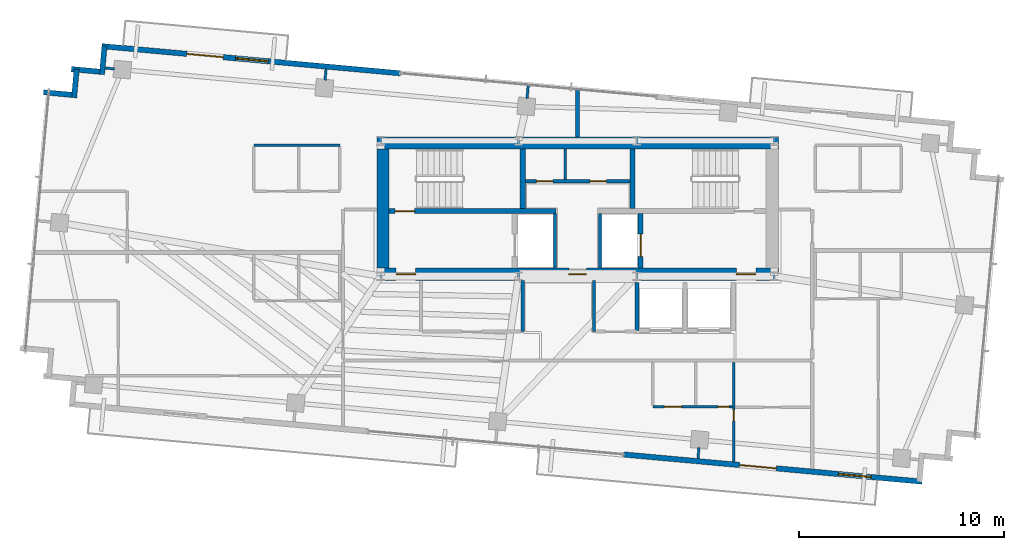
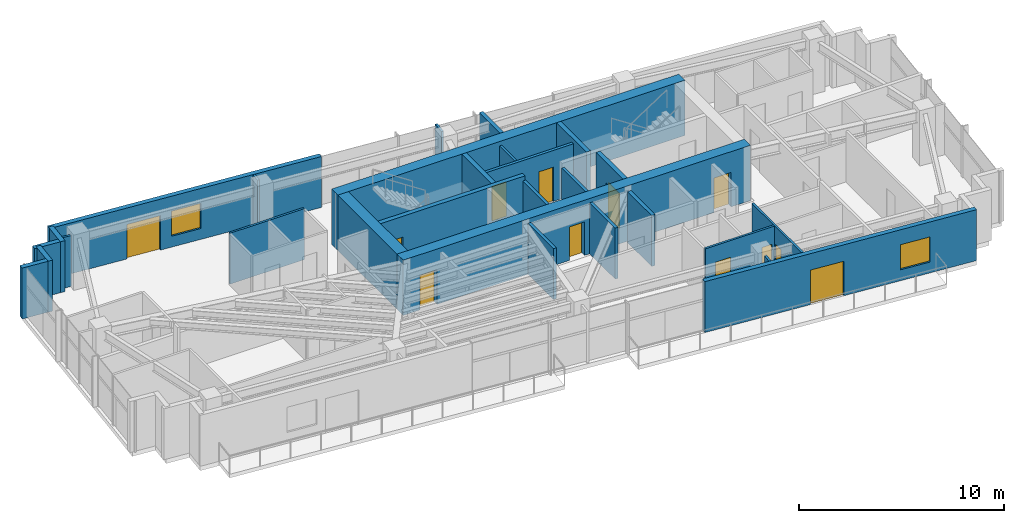
# One storey, part 17 of 22: 28 walls, 12 doors, 2 windows, 14 openings.
"""IFC4 building model written with IfcOpenShell, lengths in metres."""

from ifc_helpers import new_model, si_unit, direction, frame, frame_2d, origin, place, context, subcontext, project, spatial, rectangle, extrude, source, transform, mapped, material, layer, layer_set, type_object, type_shapes, element, fill, save


model = new_model("IFC4")

# Units and contexts
model_context = context("Model", 3, precision=1e-05, world=origin(), true_north=direction((0.0, 1.0)))
body_context = subcontext(model_context, "Body", "Model", "MODEL_VIEW")
ifc_project = project(units=[si_unit("LENGTHUNIT", "METRE"), si_unit("AREAUNIT", "SQUARE_METRE"), si_unit("VOLUMEUNIT", "CUBIC_METRE"), si_unit("PLANEANGLEUNIT", "RADIAN"), si_unit("MASSUNIT", "GRAM", prefix="KILO")], contexts=[model_context])

# Site, building, storey
site_placement = place(None, origin())
site = spatial("IfcSite", under=ifc_project, at=site_placement, CompositionType="ELEMENT")
building_placement = place(site_placement, origin())
building = spatial("IfcBuilding", under=site, at=building_placement, Name="Astriad Promenade Condominiums", CompositionType="ELEMENT")
storey_placement = place(building_placement, frame((0.0, 0.0, 249.60009765625)))
storey = spatial("IfcBuildingStorey", under=building, at=storey_placement, Name="L72", CompositionType="ELEMENT", Elevation=249.60009765625)

# Wall, openings, doors
ifc_material_1 = material(Name="Concrete C50/60", Category="concrete")
ifc_layer_1 = layer(ifc_material_1, 0.60009765625)
ifc_layer_set_1 = layer_set([ifc_layer_1], Name="Concrete C50/60")
wall_type_1 = type_object("IfcWallType", Name="CW-SHEAR-600", PredefinedType="SHEAR", material=ifc_layer_set_1)
wall_1_placement = place(storey_placement, frame((26.199951171875, 17.5, 0.0), z_axis=(0.0, 0.0, 1.0), x_axis=(1.0, 0.0, 0.0)))
wall_1 = element("IfcWall", 1, at=wall_1_placement, inside=storey, type_object=wall_type_1, Name="CW-CORE-S-L72", PredefinedType="SHEAR", context=body_context, shape_type="SweptSolid", body=[
    extrude(rectangle(XDim=19.60009765625, YDim=0.60009765625, at=frame_2d((9.800048828125, 0.0))), origin(), (0.0, 0.0, 1.0), 3.2998046875),
])
opening_1_placement = place(wall_1_placement, frame((0.949951171875, 0.0, 0.0)))
opening_1 = element("IfcOpeningElement", 2, at=opening_1_placement, cuts=wall_1, Name="Opening FD90-ST-095", PredefinedType="OPENING", context=body_context, shape_type="SweptSolid", body=[
    extrude(rectangle(XDim=0.949951171875, YDim=2.06005859375, at=frame_2d((0.47509765625, 1.030029296875))), frame((0.0, 0.31005859375, 0.0), z_axis=(0.0, -1.0, 0.0), x_axis=(1.0, 0.0, 0.0)), (0.0, 0.0, 1.0), 0.6201171875),
])
opening_2_placement = place(wall_1_placement, frame((9.3798828125, 0.0, 0.0)))
opening_2 = element("IfcOpeningElement", 3, at=opening_2_placement, cuts=wall_1, Name="Opening FD60-ULOW-085", PredefinedType="OPENING", context=body_context, shape_type="SweptSolid", body=[
    extrude(rectangle(XDim=0.85009765625, YDim=2.0, at=frame_2d((0.425048828125, 1.0))), frame((0.0, 0.31005859375, 0.0), z_axis=(0.0, -1.0, 0.0), x_axis=(1.0, 0.0, 0.0)), (0.0, 0.0, 1.0), 0.6201171875),
])
opening_3_placement = place(wall_1_placement, frame((17.550048828125, 0.0, 0.0)))
opening_3 = element("IfcOpeningElement", 4, at=opening_3_placement, cuts=wall_1, Name="Opening FD90-ST-095", PredefinedType="OPENING", context=body_context, shape_type="SweptSolid", body=[
    extrude(rectangle(XDim=0.949951171875, YDim=2.06005859375, at=frame_2d((0.47509765625, 1.030029296875))), frame((0.0, 0.31005859375, 0.0), z_axis=(0.0, -1.0, 0.0), x_axis=(1.0, 0.0, 0.0)), (0.0, 0.0, 1.0), 0.6201171875),
])
ifc_material_2 = material(Name="Fire-Rated Hollow Metal Stair Door")
door_type_1 = type_object("IfcDoorType", Name="FD90-ST-095", OperationType="NOTDEFINED", PredefinedType="DOOR", material=ifc_material_2)
shared_shape_1 = source(origin(), body_context, "Body", "SweptSolid", [
    extrude(rectangle(XDim=0.949951171875, YDim=2.06005859375, at=frame_2d((0.47509765625, 1.030029296875))), frame((0.0, 0.02490234375, 0.0), z_axis=(0.0, -1.0, 0.0), x_axis=(1.0, 0.0, 0.0)), (0.0, 0.0, 1.0), 0.050048828125),
])
type_shapes(door_type_1, [shared_shape_1])
door_1_placement = place(opening_1_placement, origin())
door_1 = element("IfcDoor", 5, at=door_1_placement, inside=storey, type_object=door_type_1, Name="D-FFW-L72", OperationType="SINGLE_SWING_LEFT", OverallHeight=2.06005859375, OverallWidth=0.949951171875, PredefinedType="DOOR", context=body_context, shape_type="MappedRepresentation", body=[
    mapped(shared_shape_1, transform((0.0, 0.0, 0.0), scale=1.0)),
])
fill(opening_1, door_1)
door_2_placement = place(opening_3_placement, origin())
door_2 = element("IfcDoor", 6, at=door_2_placement, inside=storey, type_object=door_type_1, Name="D-FFE-L72", OperationType="SINGLE_SWING_RIGHT", OverallHeight=2.06005859375, OverallWidth=0.949951171875, PredefinedType="DOOR", context=body_context, shape_type="MappedRepresentation", body=[
    mapped(shared_shape_1, transform((0.0, 0.0, 0.0), scale=1.0)),
])
fill(opening_3, door_2)
ifc_material_3 = material(Name="Solid-Core Low-Headroom Fire Door")
door_type_2 = type_object("IfcDoorType", Name="FD60-ULOW-085", OperationType="NOTDEFINED", PredefinedType="DOOR", material=ifc_material_3)
shared_shape_2 = source(origin(), body_context, "Body", "SweptSolid", [
    extrude(rectangle(XDim=0.85009765625, YDim=2.0, at=frame_2d((0.425048828125, 1.0))), frame((0.0, 0.02490234375, 0.0), z_axis=(0.0, -1.0, 0.0), x_axis=(1.0, 0.0, 0.0)), (0.0, 0.0, 1.0), 0.050048828125),
])
type_shapes(door_type_2, [shared_shape_2])
door_3_placement = place(opening_2_placement, origin())
door_3 = element("IfcDoor", 7, at=door_3_placement, inside=storey, type_object=door_type_2, Name="D-CSL-L72", OperationType="SINGLE_SWING_RIGHT", OverallHeight=2.0, OverallWidth=0.85009765625, PredefinedType="DOOR", context=body_context, shape_type="MappedRepresentation", body=[
    mapped(shared_shape_2, transform((0.0, 0.0, 0.0), scale=1.0)),
])
fill(opening_2, door_3)

# Walls
wall_2_placement = place(storey_placement, frame((26.199951171875, 23.89990234375, 0.0), z_axis=(0.0, 0.0, 1.0), x_axis=(1.0, 0.0, 0.0)))
element("IfcWall", 8, at=wall_2_placement, inside=storey, type_object=wall_type_1, Name="CW-CORE-N-L72", PredefinedType="SHEAR", context=body_context, shape_type="SweptSolid", body=[
    extrude(rectangle(XDim=19.60009765625, YDim=0.60009765625, at=frame_2d((9.800048828125, 0.0))), origin(), (0.0, 0.0, 1.0), 3.2998046875),
])
wall_3_placement = place(storey_placement, frame((26.5, 17.802001953125, 0.0), z_axis=(0.0, 0.0, 1.0), x_axis=(0.0, 1.0, 0.0)))
element("IfcWall", 9, at=wall_3_placement, inside=storey, type_object=wall_type_1, Name="CW-CORE-W-L72", PredefinedType="SHEAR", context=body_context, shape_type="SweptSolid", body=[
    extrude(rectangle(XDim=5.7958984375, YDim=0.60009765625, at=frame_2d((2.89794921875, 0.0))), origin(), (0.0, 0.0, 1.0), 3.2998046875),
])

# Wall, opening, door
ifc_layer_2 = layer(ifc_material_1, 0.25)
ifc_layer_set_2 = layer_set([ifc_layer_2], Name="Concrete C50/60")
wall_type_2 = type_object("IfcWallType", Name="WALL-CORE-INT-250", PredefinedType="SOLIDWALL", material=ifc_layer_set_2)
wall_4_placement = place(storey_placement, frame((26.802001953125, 20.574951171875, 0.0), z_axis=(0.0, 0.0, 1.0), x_axis=(1.0, 0.0, 0.0)))
wall_4 = element("IfcWall", 10, at=wall_4_placement, inside=storey, type_object=wall_type_2, Name="CW-INT-H1-L72", PredefinedType="SOLIDWALL", context=body_context, shape_type="SweptSolid", body=[
    extrude(rectangle(XDim=8.14794921875, YDim=0.25, at=frame_2d((4.073974609375, 0.0))), origin(), (0.0, 0.0, 1.0), 3.2998046875),
])
opening_4_placement = place(wall_4_placement, frame((0.298095703125, 0.0, 0.0)))
opening_4 = element("IfcOpeningElement", 11, at=opening_4_placement, cuts=wall_4, Name="Opening FD90-ST-095", PredefinedType="OPENING", context=body_context, shape_type="SweptSolid", body=[
    extrude(rectangle(XDim=0.949951171875, YDim=2.06005859375, at=frame_2d((0.47509765625, 1.030029296875))), frame((0.0, 0.135009765625, 0.0), z_axis=(0.0, -1.0, 0.0), x_axis=(1.0, 0.0, 0.0)), (0.0, 0.0, 1.0), 0.27001953125),
])
door_4_placement = place(opening_4_placement, origin())
door_4 = element("IfcDoor", 12, at=door_4_placement, inside=storey, type_object=door_type_1, Name="D-ST1-L72", OperationType="SINGLE_SWING_RIGHT", OverallHeight=2.06005859375, OverallWidth=0.949951171875, PredefinedType="DOOR", context=body_context, shape_type="MappedRepresentation", body=[
    mapped(shared_shape_1, transform((0.0, 0.0, 0.0), scale=1.0)),
])
fill(opening_4, door_4)

# Walls
for number, where, z_axis, x_axis, name in (
    (13, (33.324951171875, 20.701904296875, 0.0), (0.0, 0.0, 1.0), (0.0, 1.0, 0.0), "CW-ST1-E-L72"),
    (14, (38.675048828125, 20.701904296875, 0.0), (0.0, 0.0, 1.0), (0.0, 1.0, 0.0), "CW-ST2-W-L72"),
):
    element("IfcWall", number, at=place(storey_placement, frame(where, z_axis=z_axis, x_axis=x_axis)), inside=storey, type_object=wall_type_2, Name=name, PredefinedType="SOLIDWALL", context=body_context, shape_type="SweptSolid", body=[
        extrude(rectangle(XDim=2.89599609375, YDim=0.25, at=frame_2d((1.447998046875, 0.0))), origin(), (0.0, 0.0, 1.0), 3.2998046875),
    ])

# Wall, opening, door
wall_5_placement = place(storey_placement, frame((39.074951171875, 17.802001953125, 0.0), z_axis=(0.0, 0.0, 1.0), x_axis=(0.0, 1.0, 0.0)))
wall_5 = element("IfcWall", 15, at=wall_5_placement, inside=storey, type_object=wall_type_2, Name="CW-FFL2-E-L72", PredefinedType="SOLIDWALL", context=body_context, shape_type="SweptSolid", body=[
    extrude(rectangle(XDim=2.64599609375, YDim=0.25, at=frame_2d((1.322998046875, 0.0))), origin(), (0.0, 0.0, 1.0), 3.2998046875),
])
opening_5_placement = place(wall_5_placement, frame((0.548095703125, 0.0, 0.0)))
opening_5 = element("IfcOpeningElement", 16, at=opening_5_placement, cuts=wall_5, Name="Opening LD-FFL-1122", PredefinedType="OPENING", context=body_context, shape_type="SweptSolid", body=[
    extrude(rectangle(XDim=1.10009765625, YDim=2.080078125, at=frame_2d((0.550048828125, 1.0400390625))), frame((0.0, 0.135009765625, 0.0), z_axis=(0.0, -1.0, 0.0), x_axis=(1.0, 0.0, 0.0)), (0.0, 0.0, 1.0), 0.27001953125),
])
ifc_material_4 = material(Name="Brushed Stainless Steel Fire Elevator Landing Door", Category="steel")
door_type_3 = type_object("IfcDoorType", Name="LD-FFL-1122", OperationType="NOTDEFINED", PredefinedType="DOOR", material=ifc_material_4)
shared_shape_3 = source(origin(), body_context, "Body", "SweptSolid", [
    extrude(rectangle(XDim=1.10009765625, YDim=2.080078125, at=frame_2d((0.550048828125, 1.0400390625))), frame((0.0, 0.02490234375, 0.0), z_axis=(0.0, -1.0, 0.0), x_axis=(1.0, 0.0, 0.0)), (0.0, 0.0, 1.0), 0.050048828125),
])
type_shapes(door_type_3, [shared_shape_3])
door_5_placement = place(opening_5_placement, origin())
door_5 = element("IfcDoor", 17, at=door_5_placement, inside=storey, type_object=door_type_3, Name="Elevator Landing Door FFL-2 (L72)", OperationType="SLIDING_TO_RIGHT", OverallHeight=2.080078125, OverallWidth=1.10009765625, PredefinedType="DOOR", context=body_context, shape_type="MappedRepresentation", body=[
    mapped(shared_shape_3, transform((0.0, 0.0, 0.0), scale=1.0)),
])
fill(opening_5, door_5)

# Walls
ifc_material_5 = material(Name="Fire-Rated Gypsum Partition")
ifc_layer_3 = layer(ifc_material_5, 0.159912109375)
ifc_layer_set_3 = layer_set([ifc_layer_3], Name="Fire-Rated Gypsum Partition")
wall_type_3 = type_object("IfcWallType", Name="WALL-CORR-160", PredefinedType="PARTITIONING", material=ifc_layer_set_3)
for number, where, z_axis, x_axis, name in (
    (18, (34.89990234375, 17.802001953125, 0.0), (0.0, 0.0, 1.0), (0.0, 1.0, 0.0), "CW-FFL1-E-L72"),
    (19, (37.10009765625, 17.802001953125, 0.0), (0.0, 0.0, 1.0), (0.0, 1.0, 0.0), "CW-FFL2-W-L72"),
):
    element("IfcWall", number, at=place(storey_placement, frame(where, z_axis=z_axis, x_axis=x_axis)), inside=storey, type_object=wall_type_3, Name=name, PredefinedType="PARTITIONING", context=body_context, shape_type="SweptSolid", body=[
        extrude(rectangle(XDim=2.64599609375, YDim=0.159912109375, at=frame_2d((1.322998046875, 0.0))), origin(), (0.0, 0.0, 1.0), 3.039794921875),
    ])

# Wall, openings, doors
wall_6_placement = place(storey_placement, frame((33.451904296875, 22.030029296875, 0.0), z_axis=(0.0, 0.0, 1.0), x_axis=(1.0, 0.0, 0.0)))
wall_6 = element("IfcWall", 20, at=wall_6_placement, inside=storey, type_object=wall_type_3, Name="CW-AUX-N-L72", PredefinedType="PARTITIONING", context=body_context, shape_type="SweptSolid", body=[
    extrude(rectangle(XDim=5.09619140625, YDim=0.159912109375, at=frame_2d((2.548095703125, 0.0))), origin(), (0.0, 0.0, 1.0), 3.039794921875),
])
opening_6_placement = place(wall_6_placement, frame((0.5380859375, 0.0, 0.0)))
opening_6 = element("IfcOpeningElement", 21, at=opening_6_placement, cuts=wall_6, Name="Opening FD60-SV-080", PredefinedType="OPENING", context=body_context, shape_type="SweptSolid", body=[
    extrude(rectangle(XDim=0.800048828125, YDim=2.050048828125, at=frame_2d((0.39990234375, 1.02490234375))), frame((0.0, 0.08984375, 0.0), z_axis=(0.0, -1.0, 0.0), x_axis=(1.0, 0.0, 0.0)), (0.0, 0.0, 1.0), 0.179931640625),
])
opening_7_placement = place(wall_6_placement, frame((3.157958984375, 0.0, 0.0)))
opening_7 = element("IfcOpeningElement", 22, at=opening_7_placement, cuts=wall_6, Name="Opening FD60-SV-080", PredefinedType="OPENING", context=body_context, shape_type="SweptSolid", body=[
    extrude(rectangle(XDim=0.800048828125, YDim=2.050048828125, at=frame_2d((0.39990234375, 1.02490234375))), frame((0.0, 0.08984375, 0.0), z_axis=(0.0, -1.0, 0.0), x_axis=(1.0, 0.0, 0.0)), (0.0, 0.0, 1.0), 0.179931640625),
])
ifc_material_6 = material(Name="Fire-Rated Riser Closet Door")
door_type_4 = type_object("IfcDoorType", Name="FD60-SV-080", OperationType="NOTDEFINED", PredefinedType="DOOR", material=ifc_material_6)
shared_shape_4 = source(origin(), body_context, "Body", "SweptSolid", [
    extrude(rectangle(XDim=0.800048828125, YDim=2.050048828125, at=frame_2d((0.39990234375, 1.02490234375))), frame((0.0, 0.02490234375, 0.0), z_axis=(0.0, -1.0, 0.0), x_axis=(1.0, 0.0, 0.0)), (0.0, 0.0, 1.0), 0.050048828125),
])
type_shapes(door_type_4, [shared_shape_4])
door_6_placement = place(opening_6_placement, origin())
door_6 = element("IfcDoor", 23, at=door_6_placement, inside=storey, type_object=door_type_4, Name="D-AUX1-L72", OperationType="SINGLE_SWING_RIGHT", OverallHeight=2.050048828125, OverallWidth=0.800048828125, PredefinedType="DOOR", context=body_context, shape_type="MappedRepresentation", body=[
    mapped(shared_shape_4, transform((0.0, 0.0, 0.0), scale=1.0)),
])
fill(opening_6, door_6)
door_7_placement = place(opening_7_placement, origin())
door_7 = element("IfcDoor", 24, at=door_7_placement, inside=storey, type_object=door_type_4, Name="D-AUX2-L72", OperationType="SINGLE_SWING_LEFT", OverallHeight=2.050048828125, OverallWidth=0.800048828125, PredefinedType="DOOR", context=body_context, shape_type="MappedRepresentation", body=[
    mapped(shared_shape_4, transform((0.0, 0.0, 0.0), scale=1.0)),
])
fill(opening_7, door_7)

# Walls
for number, where, z_axis, x_axis, name in (
    (25, (33.320068359375, 14.699951171875, 0.0), (0.0, 0.0, 1.0), (0.0, 1.0, 0.0), "PT-Z3REC-E-L72"),
    (26, (36.800048828125, 14.699951171875, 0.0), (0.0, 0.0, 1.0), (0.0, 1.0, 0.0), "PT-Z3R2-W-L72"),
):
    element("IfcWall", number, at=place(storey_placement, frame(where, z_axis=z_axis, x_axis=x_axis)), inside=storey, type_object=wall_type_3, Name=name, PredefinedType="PARTITIONING", context=body_context, shape_type="SweptSolid", body=[
        extrude(rectangle(XDim=2.498046875, YDim=0.159912109375, at=frame_2d((1.2490234375, 0.0))), origin(), (0.0, 0.0, 1.0), 3.039794921875),
    ])
ifc_material_7 = material(Name="Acoustic Double-Stud Gypsum Partition")
ifc_layer_4 = layer(ifc_material_7, 0.199951171875)
ifc_layer_set_4 = layer_set([ifc_layer_4], Name="Acoustic Double-Stud Gypsum Partition")
wall_type_4 = type_object("IfcWallType", Name="WALL-DEMISING-200", PredefinedType="PARTITIONING", material=ifc_layer_set_4)
wall_7_placement = place(storey_placement, frame((36.0, 24.201904296875, 0.0), z_axis=(0.0, 0.0, 1.0), x_axis=(0.0, 1.0, 0.0)))
element("IfcWall", 27, at=wall_7_placement, inside=storey, type_object=wall_type_4, Name="PT-NC-MID-L72", PredefinedType="PARTITIONING", context=body_context, shape_type="SweptSolid", body=[
    extrude(rectangle(XDim=2.36328125, YDim=0.199951171875, at=frame_2d((1.181640625, 0.0))), origin(), (0.0, 0.0, 1.0), 3.039794921875),
])
ifc_material_8 = material(Name="Precast concrete C50/60", Category="concrete")
ifc_layer_5 = layer(ifc_material_8, 0.260009765625)
ifc_layer_set_5 = layer_set([ifc_layer_5], Name="Precast concrete C50/60")
wall_type_5 = type_object("IfcWallType", Name="WALL-EXT-TWR-260", PredefinedType="STANDARD", material=ifc_layer_set_5)
for number, where, z_axis, x_axis, name in (
    (28, (9.93505859375, 26.376708984375, 0.0), (0.0, 0.0, 1.0), (0.995881721538, -0.090661991521, 0.0), "W-SER-L72-04"),
    (29, (11.427001953125, 26.110595703125, 0.0), (0.0, 0.0, 1.0), (0.090835571917, 0.995865904063, 0.0), "W-SER-L72-05"),
):
    element("IfcWall", number, at=place(storey_placement, frame(where, z_axis=z_axis, x_axis=x_axis)), inside=storey, type_object=wall_type_5, Name=name, PredefinedType="STANDARD", context=body_context, shape_type="SweptSolid", body=[
        extrude(rectangle(XDim=1.39501953125, YDim=0.260009765625, at=frame_2d((0.697509765625, 0.0))), origin(), (0.0, 0.0, 1.0), 3.039794921875),
    ])
wall_8_placement = place(storey_placement, frame((11.293212890625, 27.50830078125, 0.0), z_axis=(0.0, 0.0, 1.0), x_axis=(0.995883159782, -0.090646191665, 0.0)))
element("IfcWall", 30, at=wall_8_placement, inside=storey, type_object=wall_type_5, Name="W-SER-L72-06", PredefinedType="STANDARD", context=body_context, shape_type="SweptSolid", body=[
    extrude(rectangle(XDim=1.395263671875, YDim=0.260009765625, at=frame_2d((0.69775390625, 0.0))), origin(), (0.0, 0.0, 1.0), 3.039794921875),
])
wall_9_placement = place(storey_placement, frame((12.785400390625, 27.241943359375, 0.0), z_axis=(0.0, 0.0, 1.0), x_axis=(0.090472632758, 0.995898942023, 0.0)))
element("IfcWall", 31, at=wall_9_placement, inside=storey, type_object=wall_type_5, Name="W-SER-L72-07", PredefinedType="STANDARD", context=body_context, shape_type="SweptSolid", body=[
    extrude(rectangle(XDim=1.39501953125, YDim=0.260009765625, at=frame_2d((0.697509765625, 0.0))), origin(), (0.0, 0.0, 1.0), 3.039794921875),
])

# Wall, openings, door, window
wall_10_placement = place(storey_placement, frame((12.78076171875, 28.628173828125, 0.0), z_axis=(0.0, 0.0, 1.0), x_axis=(0.995884584572, -0.090630536861, 0.0)))
wall_10 = element("IfcWall", 32, at=wall_10_placement, inside=storey, type_object=wall_type_5, Name="W-EXT-L72-N1", PredefinedType="STANDARD", context=body_context, shape_type="SweptSolid", body=[
    extrude(rectangle(XDim=14.630126953125, YDim=0.260009765625, at=frame_2d((7.31494140625, 0.0))), origin(), (0.0, 0.0, 1.0), 3.039794921875),
])
opening_8_placement = place(wall_10_placement, frame((4.158935546875, 0.0, 0.0)))
opening_8 = element("IfcOpeningElement", 33, at=opening_8_placement, cuts=wall_10, Name="Opening BD-1822-SLD", PredefinedType="OPENING", context=body_context, shape_type="SweptSolid", body=[
    extrude(rectangle(XDim=1.800048828125, YDim=2.06005859375, at=frame_2d((0.89990234375, 1.030029296875))), frame((0.0, 0.139892578125, 0.0), z_axis=(0.0, -1.0, 0.0), x_axis=(1.0, 0.0, 0.0)), (0.0, 0.0, 1.0), 0.280029296875),
])
opening_9_placement = place(wall_10_placement, frame((6.550048828125, 0.0, 0.64990234375)))
opening_9 = element("IfcOpeningElement", 34, at=opening_9_placement, cuts=wall_10, Name="Opening WIN-TWR-1620", PredefinedType="OPENING", context=body_context, shape_type="SweptSolid", body=[
    extrude(rectangle(XDim=1.60009765625, YDim=1.5, at=frame_2d((0.800048828125, 0.75))), frame((0.0, 0.139892578125, 0.0), z_axis=(0.0, -1.0, 0.0), x_axis=(1.0, 0.0, 0.0)), (0.0, 0.0, 1.0), 0.280029296875),
])
ifc_material_9 = material(Name="Thermally Broken Aluminium Sliding Balcony Door", Category="aluminium")
door_type_5 = type_object("IfcDoorType", Name="BD-1822-SLD", OperationType="NOTDEFINED", PredefinedType="DOOR", material=ifc_material_9)
shared_shape_5 = source(origin(), body_context, "Body", "SweptSolid", [
    extrude(rectangle(XDim=1.800048828125, YDim=2.06005859375, at=frame_2d((0.89990234375, 1.030029296875))), frame((0.0, 0.02490234375, 0.0), z_axis=(0.0, -1.0, 0.0), x_axis=(1.0, 0.0, 0.0)), (0.0, 0.0, 1.0), 0.050048828125),
])
type_shapes(door_type_5, [shared_shape_5])
door_8_placement = place(opening_8_placement, origin())
door_8 = element("IfcDoor", 35, at=door_8_placement, inside=storey, type_object=door_type_5, Name="BD-L72-NW", OperationType="SLIDING_TO_LEFT", OverallHeight=2.06005859375, OverallWidth=1.800048828125, PredefinedType="DOOR", context=body_context, shape_type="MappedRepresentation", body=[
    mapped(shared_shape_5, transform((0.0, 0.0, 0.0), scale=1.0)),
])
fill(opening_8, door_8)
ifc_material_10 = material(Name="Dark Tinted Triple-Glazed Aluminium Window", Category="aluminium")
window_type = type_object("IfcWindowType", Name="WIN-TWR-1620", PartitioningType="SINGLE_PANEL", PredefinedType="WINDOW", material=ifc_material_10)
shared_shape_6 = source(origin(), body_context, "Body", "SweptSolid", [
    extrude(rectangle(XDim=1.60009765625, YDim=1.5, at=frame_2d((0.800048828125, 0.75))), frame((0.0, 0.030029296875, 0.0), z_axis=(0.0, -1.0, 0.0), x_axis=(1.0, 0.0, 0.0)), (0.0, 0.0, 1.0), 0.06005859375),
])
type_shapes(window_type, [shared_shape_6])
window_1_placement = place(opening_9_placement, origin())
window_1 = element("IfcWindow", 36, at=window_1_placement, inside=storey, type_object=window_type, Name="WIN-L72-NW", OverallHeight=1.5, OverallWidth=1.60009765625, PartitioningType="SINGLE_PANEL", PredefinedType="WINDOW", context=body_context, shape_type="MappedRepresentation", body=[
    mapped(shared_shape_6, transform((0.0, 0.0, 0.0), scale=1.0)),
])
fill(opening_9, window_1)

wall_11_placement = place(storey_placement, frame((52.819091796875, 7.371826171875, 0.0), z_axis=(0.0, 0.0, 1.0), x_axis=(-0.995884447498, 0.090632043071, 0.0)))
wall_11 = element("IfcWall", 37, at=wall_11_placement, inside=storey, type_object=wall_type_5, Name="W-EXT-L72-S1", PredefinedType="STANDARD", context=body_context, shape_type="SweptSolid", body=[
    extrude(rectangle(XDim=14.6298828125, YDim=0.260009765625, at=frame_2d((7.31494140625, 0.0))), origin(), (0.0, 0.0, 1.0), 3.039794921875),
])
opening_10_placement = place(wall_11_placement, frame((7.14501953125, 0.0, 0.0)))
opening_10 = element("IfcOpeningElement", 38, at=opening_10_placement, cuts=wall_11, Name="Opening BD-1822-SLD", PredefinedType="OPENING", context=body_context, shape_type="SweptSolid", body=[
    extrude(rectangle(XDim=1.800048828125, YDim=2.06005859375, at=frame_2d((0.89990234375, 1.030029296875))), frame((0.0, 0.139892578125, 0.0), z_axis=(0.0, -1.0, 0.0), x_axis=(1.0, 0.0, 0.0)), (0.0, 0.0, 1.0), 0.280029296875),
])
opening_11_placement = place(wall_11_placement, frame((2.5, 0.0, 0.64990234375)))
opening_11 = element("IfcOpeningElement", 39, at=opening_11_placement, cuts=wall_11, Name="Opening WIN-TWR-1620", PredefinedType="OPENING", context=body_context, shape_type="SweptSolid", body=[
    extrude(rectangle(XDim=1.60009765625, YDim=1.5, at=frame_2d((0.800048828125, 0.75))), frame((0.0, 0.139892578125, 0.0), z_axis=(0.0, -1.0, 0.0), x_axis=(1.0, 0.0, 0.0)), (0.0, 0.0, 1.0), 0.280029296875),
])
door_9_placement = place(opening_10_placement, origin())
door_9 = element("IfcDoor", 40, at=door_9_placement, inside=storey, type_object=door_type_5, Name="BD-L72-SE", OperationType="SLIDING_TO_RIGHT", OverallHeight=2.06005859375, OverallWidth=1.800048828125, PredefinedType="DOOR", context=body_context, shape_type="MappedRepresentation", body=[
    mapped(shared_shape_5, transform((0.0, 0.0, 0.0), scale=1.0)),
])
fill(opening_10, door_9)
window_2_placement = place(opening_11_placement, origin())
window_2 = element("IfcWindow", 41, at=window_2_placement, inside=storey, type_object=window_type, Name="WIN-L72-SE", OverallHeight=1.5, OverallWidth=1.60009765625, PartitioningType="SINGLE_PANEL", PredefinedType="WINDOW", context=body_context, shape_type="MappedRepresentation", body=[
    mapped(shared_shape_6, transform((0.0, 0.0, 0.0), scale=1.0)),
])
fill(opening_11, window_2)

# Wall
ifc_material_11 = material(Name="Acoustic Metal-Stud Gypsum Partition")
ifc_layer_6 = layer(ifc_material_11, 0.1201171875)
ifc_layer_set_6 = layer_set([ifc_layer_6], Name="Acoustic Metal-Stud Gypsum Partition")
wall_type_6 = type_object("IfcWallType", Name="WALL-PART-120", PredefinedType="PARTITIONING", material=ifc_layer_set_6)
wall_12_placement = place(storey_placement, frame((35.39990234375, 22.112060546875, 0.0), z_axis=(0.0, 0.0, 1.0), x_axis=(0.0, 1.0, 0.0)))
element("IfcWall", 42, at=wall_12_placement, inside=storey, type_object=wall_type_6, Name="CW-AUX-V1-L72", PredefinedType="PARTITIONING", context=body_context, shape_type="SweptSolid", body=[
    extrude(rectangle(XDim=1.48583984375, YDim=0.1201171875, at=frame_2d((0.742919921875, 0.0))), origin(), (0.0, 0.0, 1.0), 3.039794921875),
])

# Wall, opening, door
wall_13_placement = place(storey_placement, frame((43.6201171875, 8.341552734375, 0.0), z_axis=(0.0, 0.0, 1.0), x_axis=(0.0, 1.0, 0.0)))
wall_13 = element("IfcWall", 43, at=wall_13_placement, inside=storey, type_object=wall_type_6, Name="PT-L72-S1-BD1", PredefinedType="PARTITIONING", context=body_context, shape_type="SweptSolid", body=[
    extrude(rectangle(XDim=4.8564453125, YDim=0.1201171875, at=frame_2d((2.42822265625, 0.0))), origin(), (0.0, 0.0, 1.0), 3.039794921875),
])
opening_12_placement = place(wall_13_placement, frame((2.00048828125, 0.0, 0.0)))
opening_12 = element("IfcOpeningElement", 44, at=opening_12_placement, cuts=wall_13, Name="Opening D-AC-055", PredefinedType="OPENING", context=body_context, shape_type="SweptSolid", body=[
    extrude(rectangle(XDim=0.550048828125, YDim=2.0, at=frame_2d((0.27490234375, 1.0))), frame((0.0, 0.070068359375, 0.0), z_axis=(0.0, -1.0, 0.0), x_axis=(1.0, 0.0, 0.0)), (0.0, 0.0, 1.0), 0.14013671875),
])
ifc_material_12 = material(Name="Painted Timber Access Door", Category="wood")
door_type_6 = type_object("IfcDoorType", Name="D-AC-055", OperationType="NOTDEFINED", PredefinedType="DOOR", material=ifc_material_12)
shared_shape_7 = source(origin(), body_context, "Body", "SweptSolid", [
    extrude(rectangle(XDim=0.550048828125, YDim=2.0, at=frame_2d((0.27490234375, 1.0))), frame((0.0, 0.02490234375, 0.0), z_axis=(0.0, -1.0, 0.0), x_axis=(1.0, 0.0, 0.0)), (0.0, 0.0, 1.0), 0.050048828125),
])
type_shapes(door_type_6, [shared_shape_7])
door_10_placement = place(opening_12_placement, origin())
door_10 = element("IfcDoor", 45, at=door_10_placement, inside=storey, type_object=door_type_6, Name="D-BD1-L72-S1", OperationType="SINGLE_SWING_RIGHT", OverallHeight=2.0, OverallWidth=0.550048828125, PredefinedType="DOOR", context=body_context, shape_type="MappedRepresentation", body=[
    mapped(shared_shape_7, transform((0.0, 0.0, 0.0), scale=1.0)),
])
fill(opening_12, door_10)

# Wall, openings, doors
wall_14_placement = place(storey_placement, frame((39.669921875, 11.030029296875, 0.0), z_axis=(0.0, 0.0, 1.0), x_axis=(1.0, 0.0, 0.0)))
wall_14 = element("IfcWall", 46, at=wall_14_placement, inside=storey, type_object=wall_type_6, Name="PT-L72-S1-PS", PredefinedType="PARTITIONING", context=body_context, shape_type="SweptSolid", body=[
    extrude(rectangle(XDim=3.88818359375, YDim=0.1201171875, at=frame_2d((1.944091796875, 0.0))), origin(), (0.0, 0.0, 1.0), 3.039794921875),
])
opening_13_placement = place(wall_14_placement, frame((0.56494140625, 0.0, 0.0)))
opening_13 = element("IfcOpeningElement", 47, at=opening_13_placement, cuts=wall_14, Name="Opening D-INT-085", PredefinedType="OPENING", context=body_context, shape_type="SweptSolid", body=[
    extrude(rectangle(XDim=0.85009765625, YDim=2.050048828125, at=frame_2d((0.425048828125, 1.02490234375))), frame((0.0, 0.070068359375, 0.0), z_axis=(0.0, -1.0, 0.0), x_axis=(1.0, 0.0, 0.0)), (0.0, 0.0, 1.0), 0.14013671875),
])
opening_14_placement = place(wall_14_placement, frame((3.179931640625, 0.0, 0.0)))
opening_14 = element("IfcOpeningElement", 48, at=opening_14_placement, cuts=wall_14, Name="Opening D-AC-055", PredefinedType="OPENING", context=body_context, shape_type="SweptSolid", body=[
    extrude(rectangle(XDim=0.550048828125, YDim=2.0, at=frame_2d((0.27490234375, 1.0))), frame((0.0, 0.070068359375, 0.0), z_axis=(0.0, -1.0, 0.0), x_axis=(1.0, 0.0, 0.0)), (0.0, 0.0, 1.0), 0.14013671875),
])
ifc_material_13 = material(Name="Painted Solid-Core Timber Room Door", Category="wood")
door_type_7 = type_object("IfcDoorType", Name="D-INT-085", OperationType="NOTDEFINED", PredefinedType="DOOR", material=ifc_material_13)
shared_shape_8 = source(origin(), body_context, "Body", "SweptSolid", [
    extrude(rectangle(XDim=0.85009765625, YDim=2.050048828125, at=frame_2d((0.425048828125, 1.02490234375))), frame((0.0, 0.02490234375, 0.0), z_axis=(0.0, -1.0, 0.0), x_axis=(1.0, 0.0, 0.0)), (0.0, 0.0, 1.0), 0.050048828125),
])
type_shapes(door_type_7, [shared_shape_8])
door_11_placement = place(opening_13_placement, origin())
door_11 = element("IfcDoor", 49, at=door_11_placement, inside=storey, type_object=door_type_7, Name="D-KIT-L72-S1", OperationType="SINGLE_SWING_LEFT", OverallHeight=2.050048828125, OverallWidth=0.85009765625, PredefinedType="DOOR", context=body_context, shape_type="MappedRepresentation", body=[
    mapped(shared_shape_8, transform((0.0, 0.0, 0.0), scale=1.0)),
])
fill(opening_13, door_11)
door_12_placement = place(opening_14_placement, origin())
door_12 = element("IfcDoor", 50, at=door_12_placement, inside=storey, type_object=door_type_6, Name="D-BTH-L72-S1", OperationType="SINGLE_SWING_RIGHT", OverallHeight=2.0, OverallWidth=0.550048828125, PredefinedType="DOOR", context=body_context, shape_type="MappedRepresentation", body=[
    mapped(shared_shape_7, transform((0.0, 0.0, 0.0), scale=1.0)),
])
fill(opening_14, door_12)

# Walls
wall_15_placement = place(storey_placement, frame((20.199951171875, 23.800048828125, 0.0), z_axis=(0.0, 0.0, 1.0), x_axis=(1.0, 0.0, 0.0)))
element("IfcWall", 51, at=wall_15_placement, inside=storey, type_object=wall_type_6, Name="PT-L72-W2-PHN", PredefinedType="PARTITIONING", context=body_context, shape_type="SweptSolid", body=[
    extrude(rectangle(XDim=4.199951171875, YDim=0.1201171875, at=frame_2d((2.10009765625, 0.0))), origin(), (0.0, 0.0, 1.0), 3.039794921875),
])
wall_16_placement = place(storey_placement, frame((41.92529296875, 9.0361328125, 0.0), z_axis=(0.0, 0.0, 1.0), x_axis=(-0.090740281653, -0.995874591144, 0.0)))
element("IfcWall", 52, at=wall_16_placement, inside=storey, type_object=wall_type_6, Name="PT-PIL-L72-PC04-11", PredefinedType="PARTITIONING", context=body_context, shape_type="SweptSolid", body=[
    extrude(rectangle(XDim=0.5380859375, YDim=0.1201171875, at=frame_2d((0.26904296875, 0.0))), origin(), (0.0, 0.0, 1.0), 3.039794921875),
])
wall_17_placement = place(storey_placement, frame((13.40283203125, 27.51708984375, 0.0), z_axis=(0.0, 0.0, 1.0), x_axis=(-0.995884462012, 0.090631883588, 0.0)))
element("IfcWall", 53, at=wall_17_placement, inside=storey, type_object=wall_type_6, Name="PT-PIL-L72-PC06-13", PredefinedType="PARTITIONING", context=body_context, shape_type="SweptSolid", body=[
    extrude(rectangle(XDim=0.4580078125, YDim=0.1201171875, at=frame_2d((0.22900390625, 0.0))), origin(), (0.0, 0.0, 1.0), 3.039794921875),
])
wall_18_placement = place(storey_placement, frame((23.6748046875, 26.9638671875, 0.0), z_axis=(0.0, 0.0, 1.0), x_axis=(0.090740281653, 0.995874591144, 0.0)))
element("IfcWall", 54, at=wall_18_placement, inside=storey, type_object=wall_type_6, Name="PT-PIL-L72-PC07-14", PredefinedType="PARTITIONING", context=body_context, shape_type="SweptSolid", body=[
    extrude(rectangle(XDim=0.5380859375, YDim=0.1201171875, at=frame_2d((0.26904296875, 0.0))), origin(), (0.0, 0.0, 1.0), 3.039794921875),
])
wall_19_placement = place(storey_placement, frame((33.5341796875, 26.066650390625, 0.0), z_axis=(0.0, 0.0, 1.0), x_axis=(0.090535746043, 0.995893206468, 0.0)))
element("IfcWall", 55, at=wall_19_placement, inside=storey, type_object=wall_type_6, Name="PT-PIL-L72-PC08-15", PredefinedType="PARTITIONING", context=body_context, shape_type="SweptSolid", body=[
    extrude(rectangle(XDim=0.719970703125, YDim=0.1201171875, at=frame_2d((0.35986328125, 0.0))), origin(), (0.0, 0.0, 1.0), 3.039794921875),
])
ifc_material_14 = material(Name="Gypsum Shaftliner Assembly")
ifc_layer_7 = layer(ifc_material_14, 0.199951171875)
ifc_layer_set_7 = layer_set([ifc_layer_7], Name="Gypsum Shaftliner Assembly")
wall_type_7 = type_object("IfcWallType", Name="WALL-SHAFT-200", PredefinedType="PARTITIONING", material=ifc_layer_set_7)
wall_20_placement = place(storey_placement, frame((38.89990234375, 14.75, 0.0), z_axis=(0.0, 0.0, 1.0), x_axis=(0.0, 1.0, 0.0)))
element("IfcWall", 56, at=wall_20_placement, inside=storey, type_object=wall_type_7, Name="PL-MH-DIV-L72", PredefinedType="PARTITIONING", context=body_context, shape_type="SweptSolid", body=[
    extrude(rectangle(XDim=2.35009765625, YDim=0.199951171875, at=frame_2d((1.175048828125, 0.0))), origin(), (0.0, 0.0, 1.0), 3.039794921875),
])

save(model, "model.ifc")
